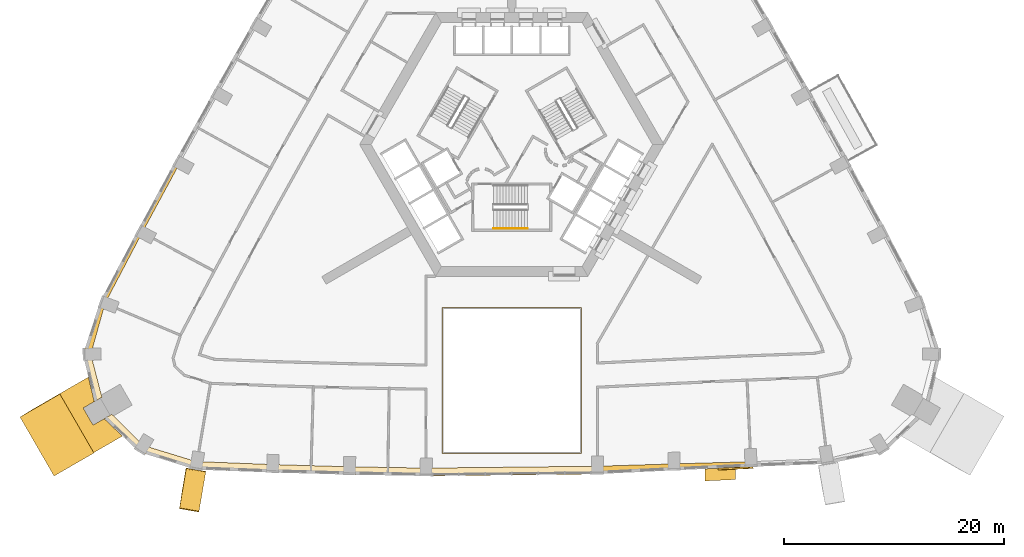
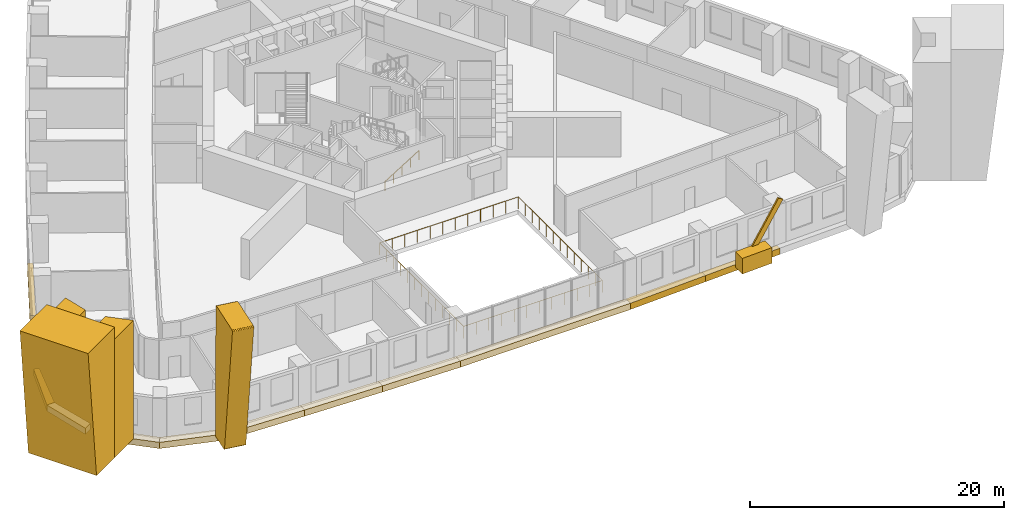
# One storey, part 13 of 15: 16 coverings, 2 railings, 1 shading device.
"""IFC4 building model written with IfcOpenShell, lengths in metres."""

from ifc_helpers import new_model, si_unit, direction, frame, origin, origin_2d, place, context, subcontext, project, spatial, polyline, rectangle, circle, outline, extrude, material, material_profile, profile_set, type_object, element, save


model = new_model("IFC4")

# Units and contexts
model_context = context("Model", 3, precision=1e-05, world=origin(), true_north=direction((0.0, 1.0)))
body_context = subcontext(model_context, "Body", "Model", "MODEL_VIEW")
ifc_project = project(units=[si_unit("LENGTHUNIT", "METRE"), si_unit("AREAUNIT", "SQUARE_METRE"), si_unit("VOLUMEUNIT", "CUBIC_METRE"), si_unit("PLANEANGLEUNIT", "RADIAN"), si_unit("MASSUNIT", "GRAM", prefix="KILO")], contexts=[model_context])

# Site, building, storey
site_placement = place(None, origin())
site = spatial("IfcSite", under=ifc_project, at=site_placement, CompositionType="ELEMENT")
building_placement = place(site_placement, origin())
building = spatial("IfcBuilding", under=site, at=building_placement, Name="Entoto Arch Interchange Tower", CompositionType="ELEMENT")
storey_placement = place(building_placement, frame((0.0, 0.0, 111.800048828125)))
storey = spatial("IfcBuildingStorey", under=building, at=storey_placement, Name="L24", CompositionType="ELEMENT", Elevation=111.800048828125)

# Railing
ifc_material_1 = material(Name="Stainless steel 1.4301", Category="steel")
railing_type_1 = type_object("IfcRailingType", Name="ATRIUM GUARD 1200 STEEL AND GLASS", PredefinedType="GUARDRAIL", material=ifc_material_1)
railing_1_placement = place(storey_placement, frame((6.320068359375, -25.6298828125, 0.0)))
element("IfcRailing", 1, at=railing_1_placement, inside=storey, type_object=railing_type_1, Name="Atrium guard L24", PredefinedType="GUARDRAIL", context=body_context, shape_type="SweptSolid", body=[
    extrude(circle(Radius=0.02392578125, at=origin_2d()), frame((0.0, 0.0, 1.17578125), z_axis=(-1.0, 0.0, 0.0), x_axis=(0.0, -1.0, 0.0)), (0.0, 0.0, 1.0), 12.64013671875),
    extrude(circle(Radius=0.02392578125, at=origin_2d()), frame((-12.64013671875, 0.0, 1.17578125), z_axis=(0.0, 1.0, 0.0), x_axis=(-1.0, 0.0, 0.0)), (0.0, 0.0, 1.0), 13.25),
    extrude(circle(Radius=0.02392578125, at=origin_2d()), frame((-12.64013671875, 13.25, 1.17578125), z_axis=(1.0, 0.0, 0.0), x_axis=(0.0, 1.0, 0.0)), (0.0, 0.0, 1.0), 12.64013671875),
    extrude(circle(Radius=0.02392578125, at=origin_2d()), frame((0.0, 13.25, 1.17578125), z_axis=(0.0, -1.0, 0.0), x_axis=(1.0, 0.0, 0.0)), (0.0, 0.0, 1.0), 13.25),
    extrude(circle(Radius=0.02099609375, at=origin_2d()), origin(), (0.0, 0.0, 1.0), 1.15185546875),
    extrude(circle(Radius=0.02099609375, at=origin_2d()), frame((-1.149169921875, 0.0, 0.0)), (0.0, 0.0, 1.0), 1.15185546875),
    extrude(circle(Radius=0.02099609375, at=origin_2d()), frame((-2.298095703125, 0.0, 0.0)), (0.0, 0.0, 1.0), 1.15185546875),
    extrude(circle(Radius=0.02099609375, at=origin_2d()), frame((-3.447265625, 0.0, 0.0)), (0.0, 0.0, 1.0), 1.15185546875),
    extrude(circle(Radius=0.02099609375, at=origin_2d()), frame((-4.596435546875, 0.0, 0.0)), (0.0, 0.0, 1.0), 1.15185546875),
    extrude(circle(Radius=0.02099609375, at=origin_2d()), frame((-5.74560546875, 0.0, 0.0)), (0.0, 0.0, 1.0), 1.15185546875),
    extrude(circle(Radius=0.02099609375, at=origin_2d()), frame((-6.89453125, 0.0, 0.0)), (0.0, 0.0, 1.0), 1.15185546875),
    extrude(circle(Radius=0.02099609375, at=origin_2d()), frame((-8.043701171875, 0.0, 0.0)), (0.0, 0.0, 1.0), 1.15185546875),
    extrude(circle(Radius=0.02099609375, at=origin_2d()), frame((-9.19287109375, 0.0, 0.0)), (0.0, 0.0, 1.0), 1.15185546875),
    extrude(circle(Radius=0.02099609375, at=origin_2d()), frame((-10.342041015625, 0.0, 0.0)), (0.0, 0.0, 1.0), 1.15185546875),
    extrude(circle(Radius=0.02099609375, at=origin_2d()), frame((-11.490966796875, 0.0, 0.0)), (0.0, 0.0, 1.0), 1.15185546875),
    extrude(circle(Radius=0.02099609375, at=origin_2d()), frame((-12.64013671875, 0.0, 0.0)), (0.0, 0.0, 1.0), 1.15185546875),
    extrude(circle(Radius=0.02099609375, at=origin_2d()), frame((-12.64013671875, 1.104248046875, 0.0)), (0.0, 0.0, 1.0), 1.15185546875),
    extrude(circle(Radius=0.02099609375, at=origin_2d()), frame((-12.64013671875, 2.208251953125, 0.0)), (0.0, 0.0, 1.0), 1.15185546875),
    extrude(circle(Radius=0.02099609375, at=origin_2d()), frame((-12.64013671875, 3.3125, 0.0)), (0.0, 0.0, 1.0), 1.15185546875),
    extrude(circle(Radius=0.02099609375, at=origin_2d()), frame((-12.64013671875, 4.416748046875, 0.0)), (0.0, 0.0, 1.0), 1.15185546875),
    extrude(circle(Radius=0.02099609375, at=origin_2d()), frame((-12.64013671875, 5.520751953125, 0.0)), (0.0, 0.0, 1.0), 1.15185546875),
    extrude(circle(Radius=0.02099609375, at=origin_2d()), frame((-12.64013671875, 6.625, 0.0)), (0.0, 0.0, 1.0), 1.15185546875),
    extrude(circle(Radius=0.02099609375, at=origin_2d()), frame((-12.64013671875, 7.729248046875, 0.0)), (0.0, 0.0, 1.0), 1.15185546875),
    extrude(circle(Radius=0.02099609375, at=origin_2d()), frame((-12.64013671875, 8.833251953125, 0.0)), (0.0, 0.0, 1.0), 1.15185546875),
    extrude(circle(Radius=0.02099609375, at=origin_2d()), frame((-12.64013671875, 9.9375, 0.0)), (0.0, 0.0, 1.0), 1.15185546875),
    extrude(circle(Radius=0.02099609375, at=origin_2d()), frame((-12.64013671875, 11.041748046875, 0.0)), (0.0, 0.0, 1.0), 1.15185546875),
    extrude(circle(Radius=0.02099609375, at=origin_2d()), frame((-12.64013671875, 12.145751953125, 0.0)), (0.0, 0.0, 1.0), 1.15185546875),
    extrude(circle(Radius=0.02099609375, at=origin_2d()), frame((-12.64013671875, 13.25, 0.0)), (0.0, 0.0, 1.0), 1.15185546875),
    extrude(circle(Radius=0.02099609375, at=origin_2d()), frame((-11.490966796875, 13.25, 0.0)), (0.0, 0.0, 1.0), 1.15185546875),
    extrude(circle(Radius=0.02099609375, at=origin_2d()), frame((-10.342041015625, 13.25, 0.0)), (0.0, 0.0, 1.0), 1.15185546875),
    extrude(circle(Radius=0.02099609375, at=origin_2d()), frame((-9.19287109375, 13.25, 0.0)), (0.0, 0.0, 1.0), 1.15185546875),
    extrude(circle(Radius=0.02099609375, at=origin_2d()), frame((-8.043701171875, 13.25, 0.0)), (0.0, 0.0, 1.0), 1.15185546875),
    extrude(circle(Radius=0.02099609375, at=origin_2d()), frame((-6.89453125, 13.25, 0.0)), (0.0, 0.0, 1.0), 1.15185546875),
    extrude(circle(Radius=0.02099609375, at=origin_2d()), frame((-5.74560546875, 13.25, 0.0)), (0.0, 0.0, 1.0), 1.15185546875),
    extrude(circle(Radius=0.02099609375, at=origin_2d()), frame((-4.596435546875, 13.25, 0.0)), (0.0, 0.0, 1.0), 1.15185546875),
    extrude(circle(Radius=0.02099609375, at=origin_2d()), frame((-3.447265625, 13.25, 0.0)), (0.0, 0.0, 1.0), 1.15185546875),
    extrude(circle(Radius=0.02099609375, at=origin_2d()), frame((-2.298095703125, 13.25, 0.0)), (0.0, 0.0, 1.0), 1.15185546875),
    extrude(circle(Radius=0.02099609375, at=origin_2d()), frame((-1.149169921875, 13.25, 0.0)), (0.0, 0.0, 1.0), 1.15185546875),
    extrude(circle(Radius=0.02099609375, at=origin_2d()), frame((0.0, 13.25, 0.0)), (0.0, 0.0, 1.0), 1.15185546875),
    extrude(circle(Radius=0.02099609375, at=origin_2d()), frame((0.0, 12.145751953125, 0.0)), (0.0, 0.0, 1.0), 1.15185546875),
    extrude(circle(Radius=0.02099609375, at=origin_2d()), frame((0.0, 11.041748046875, 0.0)), (0.0, 0.0, 1.0), 1.15185546875),
    extrude(circle(Radius=0.02099609375, at=origin_2d()), frame((0.0, 9.9375, 0.0)), (0.0, 0.0, 1.0), 1.15185546875),
    extrude(circle(Radius=0.02099609375, at=origin_2d()), frame((0.0, 8.833251953125, 0.0)), (0.0, 0.0, 1.0), 1.15185546875),
    extrude(circle(Radius=0.02099609375, at=origin_2d()), frame((0.0, 7.729248046875, 0.0)), (0.0, 0.0, 1.0), 1.15185546875),
    extrude(circle(Radius=0.02099609375, at=origin_2d()), frame((0.0, 6.625, 0.0)), (0.0, 0.0, 1.0), 1.15185546875),
    extrude(circle(Radius=0.02099609375, at=origin_2d()), frame((0.0, 5.520751953125, 0.0)), (0.0, 0.0, 1.0), 1.15185546875),
    extrude(circle(Radius=0.02099609375, at=origin_2d()), frame((0.0, 4.416748046875, 0.0)), (0.0, 0.0, 1.0), 1.15185546875),
    extrude(circle(Radius=0.02099609375, at=origin_2d()), frame((0.0, 3.3125, 0.0)), (0.0, 0.0, 1.0), 1.15185546875),
    extrude(circle(Radius=0.02099609375, at=origin_2d()), frame((0.0, 2.208251953125, 0.0)), (0.0, 0.0, 1.0), 1.15185546875),
    extrude(circle(Radius=0.02099609375, at=origin_2d()), frame((0.0, 1.104248046875, 0.0)), (0.0, 0.0, 1.0), 1.15185546875),
])

# Shading device
ifc_material_2 = material(Name="Board-marked precast concrete C50/60", Category="concrete")
ifc_material_profile = material_profile(ifc_material_2, rectangle(XDim=0.14990234375, YDim=0.5, at=origin_2d()))
ifc_profile_set = profile_set([ifc_material_profile], Name="Board-marked precast concrete C50/60")
shading_device_type = type_object("IfcShadingDeviceType", Name="FOLD BAND PRECAST 150x500", PredefinedType="USERDEFINED", material=ifc_profile_set)
shading_device_placement = place(storey_placement, frame((18.9990234375, -27.0458984375, 0.25), z_axis=(0.550391815487, 0.025613156934, 0.834513520344), x_axis=(-0.046485916024, 0.998918945466, 0.0)))
element("IfcShadingDevice", 2, at=shading_device_placement, inside=storey, type_object=shading_device_type, Name="Fold band L24", ObjectType="FOLD BAND", PredefinedType="USERDEFINED", context=body_context, shape_type="SweptSolid", body=[
    extrude(rectangle(XDim=0.14990234375, YDim=0.5, at=origin_2d()), origin(), (0.0, 0.0, 1.0), 5.03271484375),
])

# Coverings
covering_type_1 = type_object("IfcCoveringType", Name="PRECAST FRAME COURSE", PredefinedType="CLADDING", material=ifc_material_2)
covering_1_placement = place(storey_placement, frame((0.0, 0.0, -0.400146484375)))
element("IfcCovering", 3, at=covering_1_placement, inside=storey, type_object=covering_type_1, Name="Corner pilaster SW L24-L26", PredefinedType="CLADDING", context=body_context, shape_type="SweptSolid", body=[
    extrude(outline(polyline([(-38.070068359375, -25.56005859375), (-41.169921875, -20.18994140625), (-38.553955078125, -18.679931640625), (-38.01904296875, -20.912109375), (-39.030029296875, -21.49609375), (-38.1298828125, -23.053955078125), (-37.118896484375, -22.470947265625), (-35.452880859375, -24.049072265625), (-38.070068359375, -25.56005859375)])), origin(), (0.0, 0.0, 1.0), 11.400146484375),
])
covering_2_placement = place(storey_placement, frame((-41.169921875, -20.18994140625, -0.400146484375), z_axis=(-0.499989962154, 0.866026009937, 0.002997975721), x_axis=(-0.866029901358, -0.499992209893, 3.09924e-07)))
element("IfcCovering", 4, at=covering_2_placement, inside=storey, type_object=covering_type_1, Name="Corner rib SW L24-L26", PredefinedType="CLADDING", context=body_context, shape_type="SweptSolid", body=[
    extrude(outline(polyline([(0.0, 0.0), (2.8037408765676797, 4.336808689942018e-19), (4.194894691474293, 12.600152980476333), (-8.639846478359718e-06, 12.600155149531389), (0.0, 0.0)])), origin(), (0.0, 0.0, -1.0), 6.199951171875),
])
covering_3_placement = place(storey_placement, frame((-29.696044921875, -27.097900390625, -0.400146484375), z_axis=(-0.985746141496, 0.168212280653, 0.003028723097), x_axis=(0.167553795194, 0.979945350227, 0.107855627041)))
element("IfcCovering", 5, at=covering_3_placement, inside=storey, type_object=covering_type_1, Name="Fold rib S01 L24-L26", PredefinedType="CLADDING", context=body_context, shape_type="SweptSolid", body=[
    extrude(outline(polyline([(0.0, 0.0), (0.029432203168311216, 4.336808689942018e-19), (0.058442446348130256, -0.004708356357419361), (0.08642789765227318, -0.015917431330441753), (0.11066829832433578, -0.03244270503034261), (0.13109922729181517, -0.05330961142357011), (0.14809384573446924, -0.07749512822007847), (0.15938524657040723, -0.1045133907400194), (0.1653896810969341, -0.13308354787023213), (1.492214958267989, -12.361416718983827), (1.4910492134636024, -12.405746227808208), (1.4828524722167244, -12.433648173753383), (1.4682213411178182, -12.459547082758842), (1.4392601037026034, -12.492895412929128), (1.4018222538943117, -12.515864810948417), (1.3592281383598013, -12.526626595592706), (-2.0878796170361396, -12.900600588380717), (-2.1330571686636963, -12.898378591469502), (-2.16155807694576, -12.889439752645035), (-2.1886369572407043, -12.875430406626126), (-2.2216116545958546, -12.844627936641018), (-2.2374509573754375, -12.820315722077584), (-2.248806779283878, -12.79232289352409), (-2.253757184040662, -12.746692413218835), (-1.8928272889602487, -0.3210164178520506), (-1.8867081302286521, -0.29333793493654386), (-1.8754152250688816, -0.26681832544458706), (-1.8494711557459727, -0.23281580478340136), (-1.8143478759147231, -0.20788543190682643), (-1.7740890271855054, -0.1934488461579947), (0.0, 0.0)])), origin(), (0.0, 0.0, -1.0), 1.800048828125),
])
covering_4_placement = place(storey_placement, frame((0.0, 0.0, -0.650146484375)))
element("IfcCovering", 6, at=covering_4_placement, inside=storey, type_object=covering_type_1, Name="Fold crease ribbon L24", PredefinedType="CLADDING", context=body_context, shape_type="SweptSolid", body=[
    extrude(outline(polyline([(17.611083984375, -28.136962890625), (17.611083984375, -27.035888671875), (20.381103515625, -26.906982421875), (20.381103515625, -28.008056640625), (17.611083984375, -28.136962890625)])), origin(), (0.0, 0.0, 1.0), 1.5),
])
covering_type_2 = type_object("IfcCoveringType", Name="PRECAST LEDGE COURSE", PredefinedType="CLADDING", material=ifc_material_2)
covering_5_placement = place(storey_placement, frame((0.0, 0.0, -1.0)))
element("IfcCovering", 7, at=covering_5_placement, inside=storey, type_object=covering_type_2, Name="Precast course S-01 L24", PredefinedType="CLADDING", context=body_context, shape_type="SweptSolid", body=[
    extrude(outline(polyline([(-21.7890625, -26.64208984375), (-21.7890625, -27.368896484375), (-28.783935546875, -27.10107421875), (-28.783935546875, -26.364990234375), (-21.7890625, -26.64208984375)])), origin(), (0.0, 0.0, 1.0), 0.599853515625),
])
covering_6_placement = place(storey_placement, frame((0.0, 0.0, -1.0)))
element("IfcCovering", 8, at=covering_6_placement, inside=storey, type_object=covering_type_2, Name="Precast course S-02 L24", PredefinedType="CLADDING", context=body_context, shape_type="SweptSolid", body=[
    extrude(outline(polyline([(-14.794921875, -26.843017578125), (-14.794921875, -27.56201171875), (-21.7890625, -27.368896484375), (-21.7890625, -26.64208984375), (-14.794921875, -26.843017578125)])), origin(), (0.0, 0.0, 1.0), 0.599853515625),
])
covering_7_placement = place(storey_placement, frame((0.0, 0.0, -1.0)))
element("IfcCovering", 9, at=covering_7_placement, inside=storey, type_object=covering_type_2, Name="Precast course S-03 L24", PredefinedType="CLADDING", context=body_context, shape_type="SweptSolid", body=[
    extrude(outline(polyline([(-7.800048828125, -26.966064453125), (-7.800048828125, -27.681884765625), (-14.794921875, -27.56201171875), (-14.794921875, -26.843017578125), (-7.800048828125, -26.966064453125)])), origin(), (0.0, 0.0, 1.0), 0.599853515625),
])
covering_8_placement = place(storey_placement, frame((0.0, 0.0, -1.0)))
element("IfcCovering", 10, at=covering_8_placement, inside=storey, type_object=covering_type_2, Name="Precast course S-04 L24", PredefinedType="CLADDING", context=body_context, shape_type="SweptSolid", body=[
    extrude(outline(polyline([(7.800048828125, -26.7939453125), (7.800048828125, -27.510009765625), (-7.800048828125, -27.681884765625), (-7.800048828125, -26.966064453125), (7.800048828125, -26.7939453125)])), origin(), (0.0, 0.0, 1.0), 0.599853515625),
])
covering_9_placement = place(storey_placement, frame((0.0, 0.0, -1.0)))
element("IfcCovering", 11, at=covering_9_placement, inside=storey, type_object=covering_type_2, Name="Precast course S-05 L24", PredefinedType="CLADDING", context=body_context, shape_type="SweptSolid", body=[
    extrude(outline(polyline([(14.794921875, -26.5791015625), (14.794921875, -27.1669921875), (7.800048828125, -27.510009765625), (7.800048828125, -26.7939453125), (14.794921875, -26.5791015625)])), origin(), (0.0, 0.0, 1.0), 0.599853515625),
])
covering_10_placement = place(storey_placement, frame((0.0, 0.0, -1.0)))
element("IfcCovering", 12, at=covering_10_placement, inside=storey, type_object=covering_type_2, Name="Precast course S-06 L24", PredefinedType="CLADDING", context=body_context, shape_type="SweptSolid", body=[
    extrude(outline(polyline([(21.7890625, -26.3779296875), (21.7890625, -26.841064453125), (14.794921875, -27.1669921875), (14.794921875, -26.5791015625), (21.7890625, -26.3779296875)])), origin(), (0.0, 0.0, 1.0), 0.599853515625),
])
covering_11_placement = place(storey_placement, frame((0.0, 0.0, -1.0)))
element("IfcCovering", 13, at=covering_11_placement, inside=storey, type_object=covering_type_2, Name="Precast course NW-07 L24", PredefinedType="CLADDING", context=body_context, shape_type="SweptSolid", body=[
    extrude(outline(polyline([(-33.653076171875, -5.52099609375), (-34.06103515625, -5.303955078125), (-30.6279296875, 1.035888671875), (-30.22802734375, 0.81689453125), (-33.653076171875, -5.52099609375)])), origin(), (0.0, 0.0, 1.0), 0.599853515625),
])
covering_12_placement = place(storey_placement, frame((0.0, 0.0, -1.0)))
element("IfcCovering", 14, at=covering_12_placement, inside=storey, type_object=covering_type_2, Name="Precast course NW-08 L24", PredefinedType="CLADDING", context=body_context, shape_type="SweptSolid", body=[
    extrude(outline(polyline([(-37.031982421875, -11.947998046875), (-37.47900390625, -11.782958984375), (-34.06103515625, -5.303955078125), (-33.653076171875, -5.52099609375), (-37.031982421875, -11.947998046875)])), origin(), (0.0, 0.0, 1.0), 0.599853515625),
])
covering_13_placement = place(storey_placement, frame((0.0, 0.0, -1.0)))
element("IfcCovering", 15, at=covering_13_placement, inside=storey, type_object=covering_type_2, Name="Precast course SW-01 L24", PredefinedType="CLADDING", context=body_context, shape_type="SweptSolid", body=[
    extrude(outline(polyline([(-38.337890625, -16.60205078125), (-39.047119140625, -16.617919921875), (-37.47900390625, -11.782958984375), (-37.031982421875, -11.947998046875), (-38.337890625, -16.60205078125)])), origin(), (0.0, 0.0, 1.0), 0.599853515625),
])
covering_14_placement = place(storey_placement, frame((0.0, 0.0, -1.0)))
element("IfcCovering", 16, at=covering_14_placement, inside=storey, type_object=covering_type_2, Name="Precast course SW-02 L24", PredefinedType="CLADDING", context=body_context, shape_type="SweptSolid", body=[
    extrude(outline(polyline([(-37.323974609375, -20.510009765625), (-38.01904296875, -20.912109375), (-39.047119140625, -16.617919921875), (-38.337890625, -16.60205078125), (-37.323974609375, -20.510009765625)])), origin(), (0.0, 0.0, 1.0), 0.599853515625),
])
covering_15_placement = place(storey_placement, frame((0.0, 0.0, -1.0)))
element("IfcCovering", 17, at=covering_15_placement, inside=storey, type_object=covering_type_2, Name="Precast course SW-03 L24", PredefinedType="CLADDING", context=body_context, shape_type="SweptSolid", body=[
    extrude(outline(polyline([(-33.5458984375, -24.90087890625), (-33.9150390625, -25.506103515625), (-37.118896484375, -22.470947265625), (-36.423095703125, -22.069091796875), (-33.5458984375, -24.90087890625)])), origin(), (0.0, 0.0, 1.0), 0.599853515625),
])
covering_16_placement = place(storey_placement, frame((0.0, 0.0, -1.0)))
element("IfcCovering", 18, at=covering_16_placement, inside=storey, type_object=covering_type_2, Name="Precast course SW-04 L24", PredefinedType="CLADDING", context=body_context, shape_type="SweptSolid", body=[
    extrude(outline(polyline([(-28.783935546875, -26.364990234375), (-28.783935546875, -27.10107421875), (-33.9150390625, -25.506103515625), (-33.5458984375, -24.90087890625), (-28.783935546875, -26.364990234375)])), origin(), (0.0, 0.0, 1.0), 0.599853515625),
])

# Railing
railing_type_2 = type_object("IfcRailingType", Name="STAIR HANDRAIL 900 STEEL", PredefinedType="HANDRAIL", material=ifc_material_1)
railing_2_placement = place(storey_placement, frame((-1.64990234375, -5.14990234375, 0.175048828125)))
element("IfcRailing", 19, at=railing_2_placement, inside=storey, type_object=railing_type_2, Name="L24 ST-S stair handrail 1", PredefinedType="HANDRAIL", context=body_context, shape_type="SweptSolid", body=[
    extrude(circle(Radius=0.02392578125, at=origin_2d()), frame((0.0, 0.0, 0.8759765625), z_axis=(0.848009633417, 0.0, 0.529980812513), x_axis=(0.0, 1.0, 0.0)), (0.0, 0.0, 1.0), 3.6318359375),
    extrude(circle(Radius=0.02099609375, at=origin_2d()), origin(), (0.0, 0.0, 1.0), 0.851806640625),
    extrude(circle(Radius=0.02099609375, at=origin_2d()), frame((0.77001953125, 0.0, 0.481201171875)), (0.0, 0.0, 1.0), 0.851806640625),
    extrude(circle(Radius=0.02099609375, at=origin_2d()), frame((1.5400390625, 0.0, 0.96240234375)), (0.0, 0.0, 1.0), 0.851806640625),
    extrude(circle(Radius=0.02099609375, at=origin_2d()), frame((2.309814453125, 0.0, 1.443603515625)), (0.0, 0.0, 1.0), 0.851806640625),
    extrude(circle(Radius=0.02099609375, at=origin_2d()), frame((3.079833984375, 0.0, 1.9248046875)), (0.0, 0.0, 1.0), 0.851806640625),
])

save(model, "model.ifc")
